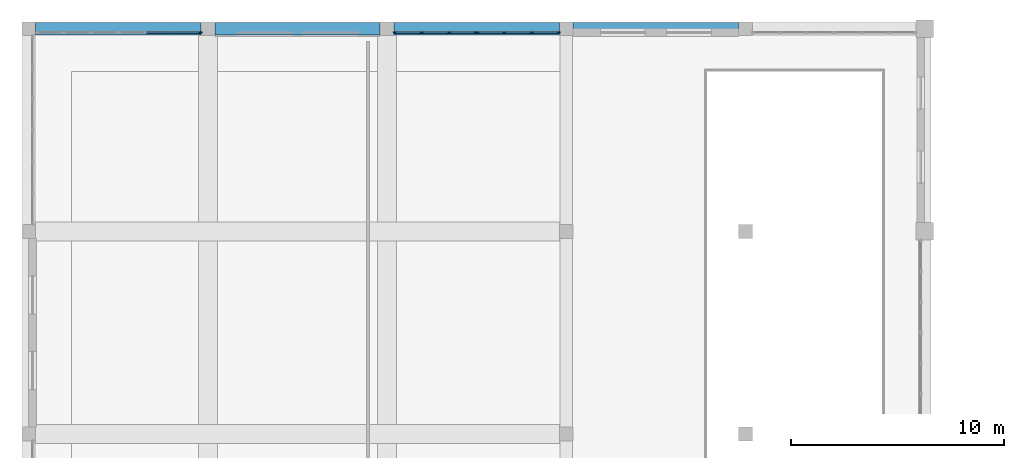
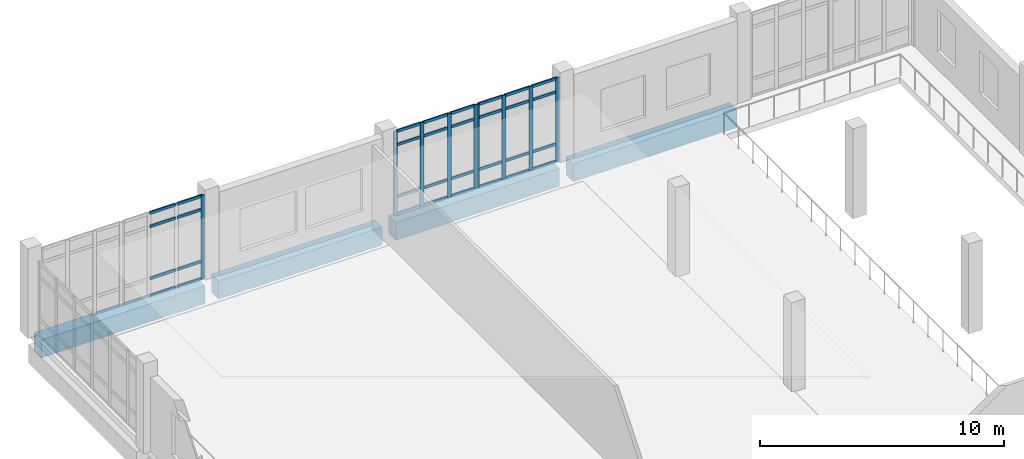
# One storey, part 17 of 54: 41 members, 4 beams, 3 elements without a shape of their own.
"""IFC4 building model written with IfcOpenShell, lengths in metres."""

import ifcopenshell
import ifcopenshell.guid

model = None  # the IFC model being written
_history = None  # IfcOwnerHistory: only IFC2X3 demands one
_inside = {}  # id of a spatial element -> (the spatial element, [elements in it])
_under = {}  # id of a project, library or spatial element -> (it, [spatial elements below it])
_declared = {}  # id of a project -> (the project, [libraries it declares])
_typed = {}  # id of a type object -> (the type object, [elements of that type])
_made_of = {}  # id of a material, layer set ... -> (it, [elements and type objects made of it])


def new_model(schema):
    """Start an empty IFC model of exactly this schema.

    Asked for "IFC4X3", IfcOpenShell would pick the latest addendum, in which some entities
    have other attributes; the version numbers below select the first issue.
    IFC2X3 requires an IfcOwnerHistory on every rooted entity: one is made here for all.
    """
    global model, _history
    if schema == "IFC4X3":
        model = ifcopenshell.file(schema_version=(4, 3, 0, 0))
    else:
        model = ifcopenshell.file(schema=schema)
    _inside.clear()
    _under.clear()
    _declared.clear()
    _typed.clear()
    _made_of.clear()
    _history = None
    if model.schema == "IFC2X3":
        org = make("IfcOrganization", Name="unknown")
        user = make(
            "IfcPersonAndOrganization",
            ThePerson=make("IfcPerson", FamilyName="unknown"),
            TheOrganization=org,
        )
        app = make(
            "IfcApplication",
            ApplicationDeveloper=org,
            Version="unknown",
            ApplicationFullName="unknown",
            ApplicationIdentifier="unknown",
        )
        _history = make(
            "IfcOwnerHistory",
            OwningUser=user,
            OwningApplication=app,
            ChangeAction="ADDED",
            CreationDate=0,
        )
    return model


def make(cls, **values):
    """One entity of the class cls with the attributes given. An attribute that is None is left unset."""
    return model.create_entity(
        cls, **{name: value for name, value in values.items() if value is not None}
    )


def rooted(cls, **values):
    """An entity with a GlobalId (a new one), such as an element, a storey or a relation."""
    return make(cls, GlobalId=ifcopenshell.guid.new(), OwnerHistory=_history, **values)


def si_unit(unit_type, name, prefix=None):
    """IfcSIUnit, for example si_unit("LENGTHUNIT", "METRE", prefix="MILLI")."""
    return make("IfcSIUnit", UnitType=unit_type, Prefix=prefix, Name=name)


def assignment(units):
    """IfcUnitAssignment: the units of a project."""
    return None if units is None else make("IfcUnitAssignment", Units=units)


def point(xyz):
    """IfcCartesianPoint."""
    return None if xyz is None else make("IfcCartesianPoint", Coordinates=xyz)


def direction(xyz):
    """IfcDirection."""
    return None if xyz is None else make("IfcDirection", DirectionRatios=xyz)


def frame(location, z_axis=None, x_axis=None):
    """IfcAxis2Placement3D, a coordinate frame: its origin and axes. An axis left out is left unset."""
    return make(
        "IfcAxis2Placement3D",
        Location=point(location),
        Axis=direction(z_axis),
        RefDirection=direction(x_axis),
    )


def frame_2d(location, x_axis=None):
    """IfcAxis2Placement2D, a coordinate frame in the plane: its origin and x axis."""
    return make(
        "IfcAxis2Placement2D", Location=point(location), RefDirection=direction(x_axis)
    )


def origin():
    """The frame at (0, 0, 0) with its axes left unset."""
    return frame((0.0, 0.0, 0.0))


def origin_2d():
    """The frame at (0, 0) in the plane with its x axis left unset."""
    return frame_2d((0.0, 0.0))


def place(relative_to, where):
    """IfcLocalPlacement: puts the frame where relative to a parent placement (None: the world)."""
    return make(
        "IfcLocalPlacement", PlacementRelTo=relative_to, RelativePlacement=where
    )


def context(
    kind, dimensions, precision=None, world=None, true_north=None, identifier=None
):
    """IfcGeometricRepresentationContext, for example the 3D "Model" context."""
    return make(
        "IfcGeometricRepresentationContext",
        ContextIdentifier=identifier,
        ContextType=kind,
        CoordinateSpaceDimension=dimensions,
        Precision=precision,
        WorldCoordinateSystem=world,
        TrueNorth=true_north,
    )


def subcontext(parent, identifier, kind, view, scale=None):
    """IfcGeometricRepresentationSubContext, for example "Body" below "Model"."""
    return make(
        "IfcGeometricRepresentationSubContext",
        ContextIdentifier=identifier,
        ContextType=kind,
        ParentContext=parent,
        TargetScale=scale,
        TargetView=view,
    )


def project(units=None, contexts=None):
    """IfcProject with its units and contexts."""
    return rooted(
        "IfcProject",
        Name="project",
        RepresentationContexts=contexts,
        UnitsInContext=assignment(units),
    )


def spatial(cls, under=None, at=None, **own):
    """A site, building, storey or space (cls), placed at a placement, below another one or the project."""
    s = rooted(cls, ObjectPlacement=at, **own)
    if under is not None:
        _under.setdefault(under.id(), (under, []))[1].append(s)
    return s


def profile(cls, at=None, kind="AREA", **sizes):
    """A parametric profile (cls). Its sizes go by their IFC names, for example OverallWidth=200.0."""
    return make(cls, ProfileType=kind, Position=at, **sizes)


def rectangle(**sizes):
    """IfcRectangleProfileDef."""
    return profile("IfcRectangleProfileDef", **sizes)


def extrude(swept, where, along, depth):
    """IfcExtrudedAreaSolid: the profile swept, set in the frame where, extruded along a direction by depth."""
    return make(
        "IfcExtrudedAreaSolid",
        SweptArea=swept,
        Position=where,
        ExtrudedDirection=direction(along),
        Depth=depth,
    )


def shape(context_of_items, identifier, shape_type, items):
    """IfcShapeRepresentation: the items that make up one representation, for example the "Body"."""
    return make(
        "IfcShapeRepresentation",
        ContextOfItems=context_of_items,
        RepresentationIdentifier=identifier,
        RepresentationType=shape_type,
        Items=items,
    )


def material(Name=None, Category=None):
    """IfcMaterial."""
    return make("IfcMaterial", Name=Name, Category=Category)


def layer(
    of_material, thickness, ventilated=None, Name=None, Category=None, Priority=None
):
    """IfcMaterialLayer: one layer of a wall or slab, of a material (None: an air gap)."""
    return make(
        "IfcMaterialLayer",
        Material=of_material,
        LayerThickness=thickness,
        IsVentilated=ventilated,
        Name=Name,
        Category=Category,
        Priority=Priority,
    )


def layer_set(layers, Name=None):
    """IfcMaterialLayerSet."""
    return make("IfcMaterialLayerSet", MaterialLayers=layers, LayerSetName=Name)


def material_profile(
    of_material, cross_section, Name=None, Category=None, Priority=None
):
    """IfcMaterialProfile: a cross section and its material."""
    return make(
        "IfcMaterialProfile",
        Name=Name,
        Material=of_material,
        Profile=cross_section,
        Priority=Priority,
        Category=Category,
    )


def profile_set(profiles, Name=None, composite=None):
    """IfcMaterialProfileSet."""
    return make(
        "IfcMaterialProfileSet",
        Name=Name,
        MaterialProfiles=profiles,
        CompositeProfile=composite,
    )


def made_of(thing, what):
    """Note that an element or type object is made of a material, layer set ...; save() writes the relation."""
    if what is not None:
        _made_of.setdefault(what.id(), (what, []))[1].append(thing)
    return thing


def type_object(cls, material=None, **own):
    """A type object (cls), such as IfcWallType, which elements share."""
    return made_of(rooted(cls, **own), material)


def element(
    cls,
    number,
    at=None,
    inside=None,
    cuts=None,
    type_object=None,
    material=None,
    context=None,
    identifier="Body",
    shape_type=None,
    held_by="IfcProductDefinitionShape",
    body=None,
    shapes=None,
    **own,
):
    """One element of the class cls, such as IfcWall. Its Tag is "e" and its number.

    at: its placement. inside: the storey or other place that contains it. cuts: it is an
    opening in that element (IfcRelVoidsElement). A single representation is given by context,
    identifier, shape_type and body (its items); several are given by shapes. held_by: the class
    of the entity that holds the representations. save() writes the other relations.
    """
    e = rooted(cls, Tag="e%d" % number, ObjectPlacement=at, **own)
    if body is not None:
        shapes = [shape(context, identifier, shape_type, body)]
    if shapes is not None:
        e.Representation = make(held_by, Representations=shapes)
    if inside is not None:
        _inside.setdefault(inside.id(), (inside, []))[1].append(e)
    if cuts is not None:
        rooted(
            "IfcRelVoidsElement", RelatingBuildingElement=cuts, RelatedOpeningElement=e
        )
    if type_object is not None:
        _typed.setdefault(type_object.id(), (type_object, []))[1].append(e)
    return made_of(e, material)


def aggregate(whole, parts):
    """IfcRelAggregates: a whole, such as a stair, and the parts it consists of."""
    return rooted("IfcRelAggregates", RelatingObject=whole, RelatedObjects=parts)


def save(model, path):
    """Write the relations noted so far, then the file.

    IfcRelAggregates (storeys below a building ...), IfcRelContainedInSpatialStructure (elements
    in a storey), IfcRelDefinesByType, IfcRelAssociatesMaterial and IfcRelDeclares: one each for
    every whole, place, type object, material and project.
    """
    for whole, parts in _under.values():
        aggregate(whole, parts)
    for where, things in _inside.values():
        rooted(
            "IfcRelContainedInSpatialStructure",
            RelatedElements=things,
            RelatingStructure=where,
        )
    for kind, things in _typed.values():
        rooted("IfcRelDefinesByType", RelatedObjects=things, RelatingType=kind)
    for what, things in _made_of.values():
        rooted("IfcRelAssociatesMaterial", RelatedObjects=things, RelatingMaterial=what)
    for by, libraries in _declared.values():
        rooted("IfcRelDeclares", RelatingContext=by, RelatedDefinitions=libraries)
    model.write(path)


model = new_model("IFC4")

# Units and contexts
model_context = context("Model", 3, precision=1e-05, world=origin(), true_north=direction((0.0, 1.0)))
body_context = subcontext(model_context, "Body", "Model", "MODEL_VIEW")
ifc_project = project(units=[si_unit("LENGTHUNIT", "METRE"), si_unit("AREAUNIT", "SQUARE_METRE"), si_unit("VOLUMEUNIT", "CUBIC_METRE"), si_unit("PLANEANGLEUNIT", "RADIAN"), si_unit("MASSUNIT", "GRAM", prefix="KILO")], contexts=[model_context])

# Site, building, storey
site_placement = place(None, origin())
site = spatial("IfcSite", under=ifc_project, at=site_placement, CompositionType="ELEMENT")
building_placement = place(site_placement, origin())
building = spatial("IfcBuilding", under=site, at=building_placement, Name="Kelarvand Opera House", CompositionType="ELEMENT")
storey_placement = place(building_placement, frame((0.0, 0.0, 15.0)))
storey = spatial("IfcBuildingStorey", under=building, at=storey_placement, Name="L03", CompositionType="ELEMENT", Elevation=15.0)

# Curtain wall, member
ifc_material_1 = material(Name="Thermally broken aluminium and low-E glazing", Category="aluminium")
ifc_layer = layer(ifc_material_1, 0.179931640625, Name="Thermally broken aluminium and low-E glazing", Category="aluminium")
ifc_layer_set = layer_set([ifc_layer], Name="Thermally broken aluminium and low-E glazing")
curtain_wall_type = type_object("IfcCurtainWallType", Name="Unitised Low-E Curtain Wall 3861x4200 Mod 1350 CWF-12", PredefinedType="USERDEFINED", material=ifc_layer_set)
curtain_wall_1_placement = place(storey_placement, origin())
curtain_wall_1 = element("IfcCurtainWall", 1, at=curtain_wall_1_placement, inside=storey, type_object=curtain_wall_type, Name="V3 L03 Curtain Wall CWF-12 (92)", ObjectType="UNITISED CURTAIN WALL", PredefinedType="USERDEFINED")
ifc_material_2 = material(Name="Thermally broken anodised aluminium", Category="aluminium")
ifc_material_profile_1 = material_profile(ifc_material_2, rectangle(XDim=0.06494140625, YDim=0.179931640625, at=origin_2d()), Name="ALU MULLION 65x180", Category="aluminium")
ifc_profile_set_1 = profile_set([ifc_material_profile_1], Name="Thermally broken anodised aluminium")
member_type_1 = type_object("IfcMemberType", Name="Curtain Wall Mullion 65x180 Aluminium", PredefinedType="MULLION", material=ifc_profile_set_1)
member_1_placement = place(storey_placement, frame((17.032470703125, 124.820068359375, 0.0), z_axis=(0.0, 0.0, 1.0), x_axis=(0.0, 1.0, 0.0)))
member_1 = element("IfcMember", 2, at=member_1_placement, type_object=member_type_1, Name="CWF-12 mullion 4", PredefinedType="MULLION", context=body_context, shape_type="SweptSolid", body=[
    extrude(rectangle(XDim=0.06494140625, YDim=0.179931640625, at=origin_2d()), origin(), (0.0, 0.0, 1.0), 4.199951171875),
])

# Curtain wall, members
curtain_wall_2_placement = place(storey_placement, origin())
curtain_wall_2 = element("IfcCurtainWall", 3, at=curtain_wall_2_placement, inside=storey, type_object=curtain_wall_type, Name="V3 L03 Curtain Wall CWF-12 (93)", ObjectType="UNITISED CURTAIN WALL", PredefinedType="USERDEFINED")
member_2_placement = place(storey_placement, frame((26.16748046875, 124.820068359375, 0.0), z_axis=(0.0, 0.0, 1.0), x_axis=(0.0, 1.0, 0.0)))
member_2 = element("IfcMember", 4, at=member_2_placement, type_object=member_type_1, Name="CWF-12 mullion 1", PredefinedType="MULLION", context=body_context, shape_type="SweptSolid", body=[
    extrude(rectangle(XDim=0.06494140625, YDim=0.179931640625, at=origin_2d()), origin(), (0.0, 0.0, 1.0), 4.199951171875),
])
member_3_placement = place(storey_placement, frame((27.422119140625, 124.820068359375, 0.0), z_axis=(0.0, 0.0, 1.0), x_axis=(0.0, 1.0, 0.0)))
member_3 = element("IfcMember", 5, at=member_3_placement, type_object=member_type_1, Name="CWF-12 mullion 2", PredefinedType="MULLION", context=body_context, shape_type="SweptSolid", body=[
    extrude(rectangle(XDim=0.06494140625, YDim=0.179931640625, at=origin_2d()), origin(), (0.0, 0.0, 1.0), 4.199951171875),
])
member_4_placement = place(storey_placement, frame((28.708984375, 124.820068359375, 0.0), z_axis=(0.0, 0.0, 1.0), x_axis=(0.0, 1.0, 0.0)))
member_4 = element("IfcMember", 6, at=member_4_placement, type_object=member_type_1, Name="CWF-12 mullion 3", PredefinedType="MULLION", context=body_context, shape_type="SweptSolid", body=[
    extrude(rectangle(XDim=0.06494140625, YDim=0.179931640625, at=origin_2d()), origin(), (0.0, 0.0, 1.0), 4.199951171875),
])
member_5_placement = place(storey_placement, frame((29.96337890625, 124.820068359375, 0.0), z_axis=(0.0, 0.0, 1.0), x_axis=(0.0, 1.0, 0.0)))
member_5 = element("IfcMember", 7, at=member_5_placement, type_object=member_type_1, Name="CWF-12 mullion 4", PredefinedType="MULLION", context=body_context, shape_type="SweptSolid", body=[
    extrude(rectangle(XDim=0.06494140625, YDim=0.179931640625, at=origin_2d()), origin(), (0.0, 0.0, 1.0), 4.199951171875),
])

curtain_wall_3_placement = place(storey_placement, origin())
curtain_wall_3 = element("IfcCurtainWall", 8, at=curtain_wall_3_placement, inside=storey, type_object=curtain_wall_type, Name="V3 L03 Curtain Wall CWF-12 (94)", ObjectType="UNITISED CURTAIN WALL", PredefinedType="USERDEFINED")
member_6_placement = place(storey_placement, frame((30.032470703125, 124.820068359375, 0.0), z_axis=(0.0, 0.0, 1.0), x_axis=(0.0, 1.0, 0.0)))
member_6 = element("IfcMember", 9, at=member_6_placement, type_object=member_type_1, Name="CWF-12 mullion 1", PredefinedType="MULLION", context=body_context, shape_type="SweptSolid", body=[
    extrude(rectangle(XDim=0.06494140625, YDim=0.179931640625, at=origin_2d()), origin(), (0.0, 0.0, 1.0), 4.199951171875),
])
member_7_placement = place(storey_placement, frame((31.288330078125, 124.820068359375, 0.0), z_axis=(0.0, 0.0, 1.0), x_axis=(0.0, 1.0, 0.0)))
member_7 = element("IfcMember", 10, at=member_7_placement, type_object=member_type_1, Name="CWF-12 mullion 2", PredefinedType="MULLION", context=body_context, shape_type="SweptSolid", body=[
    extrude(rectangle(XDim=0.06494140625, YDim=0.179931640625, at=origin_2d()), origin(), (0.0, 0.0, 1.0), 4.199951171875),
])
member_8_placement = place(storey_placement, frame((32.57666015625, 124.820068359375, 0.0), z_axis=(0.0, 0.0, 1.0), x_axis=(0.0, 1.0, 0.0)))
member_8 = element("IfcMember", 11, at=member_8_placement, type_object=member_type_1, Name="CWF-12 mullion 3", PredefinedType="MULLION", context=body_context, shape_type="SweptSolid", body=[
    extrude(rectangle(XDim=0.06494140625, YDim=0.179931640625, at=origin_2d()), origin(), (0.0, 0.0, 1.0), 4.199951171875),
])
member_9_placement = place(storey_placement, frame((33.83251953125, 124.820068359375, 0.0), z_axis=(0.0, 0.0, 1.0), x_axis=(0.0, 1.0, 0.0)))
member_9 = element("IfcMember", 12, at=member_9_placement, type_object=member_type_1, Name="CWF-12 mullion 4", PredefinedType="MULLION", context=body_context, shape_type="SweptSolid", body=[
    extrude(rectangle(XDim=0.06494140625, YDim=0.179931640625, at=origin_2d()), origin(), (0.0, 0.0, 1.0), 4.199951171875),
])

# Member
ifc_material_profile_2 = material_profile(ifc_material_2, rectangle(XDim=0.06494140625, YDim=0.139892578125, at=origin_2d()), Name="ALU TRANSOM 65x140", Category="aluminium")
ifc_profile_set_2 = profile_set([ifc_material_profile_2], Name="Thermally broken anodised aluminium")
member_type_2 = type_object("IfcMemberType", Name="Curtain Wall Transom 65x140 Aluminium", PredefinedType="USERDEFINED", material=ifc_profile_set_2)
member_10_placement = place(storey_placement, frame((14.520751953125, 124.820068359375, 0.032470703125), z_axis=(1.0, 0.0, 0.0), x_axis=(0.0, 1.0, 0.0)))
member_10 = element("IfcMember", 13, at=member_10_placement, type_object=member_type_2, Name="CWF-12 transom 2.1", ObjectType="TRANSOM", PredefinedType="USERDEFINED", context=body_context, shape_type="SweptSolid", body=[
    extrude(rectangle(XDim=0.06494140625, YDim=0.139892578125, at=origin_2d()), origin(), (0.0, 0.0, 1.0), 1.223388671875),
])

member_11_placement = place(storey_placement, frame((14.520751953125, 124.820068359375, 0.89990234375), z_axis=(1.0, 0.0, 0.0), x_axis=(0.0, 1.0, 0.0)))
member_11 = element("IfcMember", 14, at=member_11_placement, type_object=member_type_2, Name="CWF-12 transom 2.2", ObjectType="TRANSOM", PredefinedType="USERDEFINED", context=body_context, shape_type="SweptSolid", body=[
    extrude(rectangle(XDim=0.06494140625, YDim=0.139892578125, at=origin_2d()), origin(), (0.0, 0.0, 1.0), 1.223388671875),
])

member_12_placement = place(storey_placement, frame((14.520751953125, 124.820068359375, 3.5), z_axis=(1.0, 0.0, 0.0), x_axis=(0.0, 1.0, 0.0)))
member_12 = element("IfcMember", 15, at=member_12_placement, type_object=member_type_2, Name="CWF-12 transom 2.3", ObjectType="TRANSOM", PredefinedType="USERDEFINED", context=body_context, shape_type="SweptSolid", body=[
    extrude(rectangle(XDim=0.06494140625, YDim=0.139892578125, at=origin_2d()), origin(), (0.0, 0.0, 1.0), 1.223388671875),
])

member_13_placement = place(storey_placement, frame((14.520751953125, 124.820068359375, 4.16748046875), z_axis=(1.0, 0.0, 0.0), x_axis=(0.0, 1.0, 0.0)))
member_13 = element("IfcMember", 16, at=member_13_placement, type_object=member_type_2, Name="CWF-12 transom 2.4", ObjectType="TRANSOM", PredefinedType="USERDEFINED", context=body_context, shape_type="SweptSolid", body=[
    extrude(rectangle(XDim=0.06494140625, YDim=0.139892578125, at=origin_2d()), origin(), (0.0, 0.0, 1.0), 1.223388671875),
])

member_14_placement = place(storey_placement, frame((15.80908203125, 124.820068359375, 0.032470703125), z_axis=(1.0, 0.0, 0.0), x_axis=(0.0, 1.0, 0.0)))
member_14 = element("IfcMember", 17, at=member_14_placement, type_object=member_type_2, Name="CWF-12 transom 3.1", ObjectType="TRANSOM", PredefinedType="USERDEFINED", context=body_context, shape_type="SweptSolid", body=[
    extrude(rectangle(XDim=0.06494140625, YDim=0.139892578125, at=origin_2d()), origin(), (0.0, 0.0, 1.0), 1.19091796875),
])

member_15_placement = place(storey_placement, frame((15.80908203125, 124.820068359375, 0.89990234375), z_axis=(1.0, 0.0, 0.0), x_axis=(0.0, 1.0, 0.0)))
member_15 = element("IfcMember", 18, at=member_15_placement, type_object=member_type_2, Name="CWF-12 transom 3.2", ObjectType="TRANSOM", PredefinedType="USERDEFINED", context=body_context, shape_type="SweptSolid", body=[
    extrude(rectangle(XDim=0.06494140625, YDim=0.139892578125, at=origin_2d()), origin(), (0.0, 0.0, 1.0), 1.19091796875),
])

member_16_placement = place(storey_placement, frame((15.80908203125, 124.820068359375, 3.5), z_axis=(1.0, 0.0, 0.0), x_axis=(0.0, 1.0, 0.0)))
member_16 = element("IfcMember", 19, at=member_16_placement, type_object=member_type_2, Name="CWF-12 transom 3.3", ObjectType="TRANSOM", PredefinedType="USERDEFINED", context=body_context, shape_type="SweptSolid", body=[
    extrude(rectangle(XDim=0.06494140625, YDim=0.139892578125, at=origin_2d()), origin(), (0.0, 0.0, 1.0), 1.19091796875),
])

member_17_placement = place(storey_placement, frame((15.80908203125, 124.820068359375, 4.16748046875), z_axis=(1.0, 0.0, 0.0), x_axis=(0.0, 1.0, 0.0)))
member_17 = element("IfcMember", 20, at=member_17_placement, type_object=member_type_2, Name="CWF-12 transom 3.4", ObjectType="TRANSOM", PredefinedType="USERDEFINED", context=body_context, shape_type="SweptSolid", body=[
    extrude(rectangle(XDim=0.06494140625, YDim=0.139892578125, at=origin_2d()), origin(), (0.0, 0.0, 1.0), 1.19091796875),
])

aggregate(curtain_wall_1, [member_1, member_10, member_11, member_12, member_13, member_14, member_15, member_16, member_17])

member_18_placement = place(storey_placement, frame((26.199951171875, 124.820068359375, 0.032470703125), z_axis=(1.0, 0.0, 0.0), x_axis=(0.0, 1.0, 0.0)))
member_18 = element("IfcMember", 21, at=member_18_placement, type_object=member_type_2, Name="CWF-12 transom 1.1", ObjectType="TRANSOM", PredefinedType="USERDEFINED", context=body_context, shape_type="SweptSolid", body=[
    extrude(rectangle(XDim=0.06494140625, YDim=0.139892578125, at=origin_2d()), origin(), (0.0, 0.0, 1.0), 1.189453125),
])

member_19_placement = place(storey_placement, frame((26.199951171875, 124.820068359375, 0.89990234375), z_axis=(1.0, 0.0, 0.0), x_axis=(0.0, 1.0, 0.0)))
member_19 = element("IfcMember", 22, at=member_19_placement, type_object=member_type_2, Name="CWF-12 transom 1.2", ObjectType="TRANSOM", PredefinedType="USERDEFINED", context=body_context, shape_type="SweptSolid", body=[
    extrude(rectangle(XDim=0.06494140625, YDim=0.139892578125, at=origin_2d()), origin(), (0.0, 0.0, 1.0), 1.189453125),
])

member_20_placement = place(storey_placement, frame((26.199951171875, 124.820068359375, 3.5), z_axis=(1.0, 0.0, 0.0), x_axis=(0.0, 1.0, 0.0)))
member_20 = element("IfcMember", 23, at=member_20_placement, type_object=member_type_2, Name="CWF-12 transom 1.3", ObjectType="TRANSOM", PredefinedType="USERDEFINED", context=body_context, shape_type="SweptSolid", body=[
    extrude(rectangle(XDim=0.06494140625, YDim=0.139892578125, at=origin_2d()), origin(), (0.0, 0.0, 1.0), 1.189453125),
])

member_21_placement = place(storey_placement, frame((26.199951171875, 124.820068359375, 4.16748046875), z_axis=(1.0, 0.0, 0.0), x_axis=(0.0, 1.0, 0.0)))
member_21 = element("IfcMember", 24, at=member_21_placement, type_object=member_type_2, Name="CWF-12 transom 1.4", ObjectType="TRANSOM", PredefinedType="USERDEFINED", context=body_context, shape_type="SweptSolid", body=[
    extrude(rectangle(XDim=0.06494140625, YDim=0.139892578125, at=origin_2d()), origin(), (0.0, 0.0, 1.0), 1.189453125),
])

member_22_placement = place(storey_placement, frame((27.45458984375, 124.820068359375, 0.032470703125), z_axis=(1.0, 0.0, 0.0), x_axis=(0.0, 1.0, 0.0)))
member_22 = element("IfcMember", 25, at=member_22_placement, type_object=member_type_2, Name="CWF-12 transom 2.1", ObjectType="TRANSOM", PredefinedType="USERDEFINED", context=body_context, shape_type="SweptSolid", body=[
    extrude(rectangle(XDim=0.06494140625, YDim=0.139892578125, at=origin_2d()), origin(), (0.0, 0.0, 1.0), 1.221923828125),
])

member_23_placement = place(storey_placement, frame((27.45458984375, 124.820068359375, 0.89990234375), z_axis=(1.0, 0.0, 0.0), x_axis=(0.0, 1.0, 0.0)))
member_23 = element("IfcMember", 26, at=member_23_placement, type_object=member_type_2, Name="CWF-12 transom 2.2", ObjectType="TRANSOM", PredefinedType="USERDEFINED", context=body_context, shape_type="SweptSolid", body=[
    extrude(rectangle(XDim=0.06494140625, YDim=0.139892578125, at=origin_2d()), origin(), (0.0, 0.0, 1.0), 1.221923828125),
])

member_24_placement = place(storey_placement, frame((27.45458984375, 124.820068359375, 3.5), z_axis=(1.0, 0.0, 0.0), x_axis=(0.0, 1.0, 0.0)))
member_24 = element("IfcMember", 27, at=member_24_placement, type_object=member_type_2, Name="CWF-12 transom 2.3", ObjectType="TRANSOM", PredefinedType="USERDEFINED", context=body_context, shape_type="SweptSolid", body=[
    extrude(rectangle(XDim=0.06494140625, YDim=0.139892578125, at=origin_2d()), origin(), (0.0, 0.0, 1.0), 1.221923828125),
])

member_25_placement = place(storey_placement, frame((27.45458984375, 124.820068359375, 4.16748046875), z_axis=(1.0, 0.0, 0.0), x_axis=(0.0, 1.0, 0.0)))
member_25 = element("IfcMember", 28, at=member_25_placement, type_object=member_type_2, Name="CWF-12 transom 2.4", ObjectType="TRANSOM", PredefinedType="USERDEFINED", context=body_context, shape_type="SweptSolid", body=[
    extrude(rectangle(XDim=0.06494140625, YDim=0.139892578125, at=origin_2d()), origin(), (0.0, 0.0, 1.0), 1.221923828125),
])

member_26_placement = place(storey_placement, frame((28.741455078125, 124.820068359375, 0.032470703125), z_axis=(1.0, 0.0, 0.0), x_axis=(0.0, 1.0, 0.0)))
member_26 = element("IfcMember", 29, at=member_26_placement, type_object=member_type_2, Name="CWF-12 transom 3.1", ObjectType="TRANSOM", PredefinedType="USERDEFINED", context=body_context, shape_type="SweptSolid", body=[
    extrude(rectangle(XDim=0.06494140625, YDim=0.139892578125, at=origin_2d()), origin(), (0.0, 0.0, 1.0), 1.189453125),
])

member_27_placement = place(storey_placement, frame((28.741455078125, 124.820068359375, 0.89990234375), z_axis=(1.0, 0.0, 0.0), x_axis=(0.0, 1.0, 0.0)))
member_27 = element("IfcMember", 30, at=member_27_placement, type_object=member_type_2, Name="CWF-12 transom 3.2", ObjectType="TRANSOM", PredefinedType="USERDEFINED", context=body_context, shape_type="SweptSolid", body=[
    extrude(rectangle(XDim=0.06494140625, YDim=0.139892578125, at=origin_2d()), origin(), (0.0, 0.0, 1.0), 1.189453125),
])

member_28_placement = place(storey_placement, frame((28.741455078125, 124.820068359375, 3.5), z_axis=(1.0, 0.0, 0.0), x_axis=(0.0, 1.0, 0.0)))
member_28 = element("IfcMember", 31, at=member_28_placement, type_object=member_type_2, Name="CWF-12 transom 3.3", ObjectType="TRANSOM", PredefinedType="USERDEFINED", context=body_context, shape_type="SweptSolid", body=[
    extrude(rectangle(XDim=0.06494140625, YDim=0.139892578125, at=origin_2d()), origin(), (0.0, 0.0, 1.0), 1.189453125),
])

member_29_placement = place(storey_placement, frame((28.741455078125, 124.820068359375, 4.16748046875), z_axis=(1.0, 0.0, 0.0), x_axis=(0.0, 1.0, 0.0)))
member_29 = element("IfcMember", 32, at=member_29_placement, type_object=member_type_2, Name="CWF-12 transom 3.4", ObjectType="TRANSOM", PredefinedType="USERDEFINED", context=body_context, shape_type="SweptSolid", body=[
    extrude(rectangle(XDim=0.06494140625, YDim=0.139892578125, at=origin_2d()), origin(), (0.0, 0.0, 1.0), 1.189453125),
])

aggregate(curtain_wall_2, [member_2, member_3, member_4, member_5, member_18, member_19, member_20, member_21, member_22, member_23, member_24, member_25, member_26, member_27, member_28, member_29])

member_30_placement = place(storey_placement, frame((30.06494140625, 124.820068359375, 0.032470703125), z_axis=(1.0, 0.0, 0.0), x_axis=(0.0, 1.0, 0.0)))
member_30 = element("IfcMember", 33, at=member_30_placement, type_object=member_type_2, Name="CWF-12 transom 1.1", ObjectType="TRANSOM", PredefinedType="USERDEFINED", context=body_context, shape_type="SweptSolid", body=[
    extrude(rectangle(XDim=0.06494140625, YDim=0.139892578125, at=origin_2d()), origin(), (0.0, 0.0, 1.0), 1.19091796875),
])

member_31_placement = place(storey_placement, frame((30.06494140625, 124.820068359375, 0.89990234375), z_axis=(1.0, 0.0, 0.0), x_axis=(0.0, 1.0, 0.0)))
member_31 = element("IfcMember", 34, at=member_31_placement, type_object=member_type_2, Name="CWF-12 transom 1.2", ObjectType="TRANSOM", PredefinedType="USERDEFINED", context=body_context, shape_type="SweptSolid", body=[
    extrude(rectangle(XDim=0.06494140625, YDim=0.139892578125, at=origin_2d()), origin(), (0.0, 0.0, 1.0), 1.19091796875),
])

member_32_placement = place(storey_placement, frame((30.06494140625, 124.820068359375, 3.5), z_axis=(1.0, 0.0, 0.0), x_axis=(0.0, 1.0, 0.0)))
member_32 = element("IfcMember", 35, at=member_32_placement, type_object=member_type_2, Name="CWF-12 transom 1.3", ObjectType="TRANSOM", PredefinedType="USERDEFINED", context=body_context, shape_type="SweptSolid", body=[
    extrude(rectangle(XDim=0.06494140625, YDim=0.139892578125, at=origin_2d()), origin(), (0.0, 0.0, 1.0), 1.19091796875),
])

member_33_placement = place(storey_placement, frame((30.06494140625, 124.820068359375, 4.16748046875), z_axis=(1.0, 0.0, 0.0), x_axis=(0.0, 1.0, 0.0)))
member_33 = element("IfcMember", 36, at=member_33_placement, type_object=member_type_2, Name="CWF-12 transom 1.4", ObjectType="TRANSOM", PredefinedType="USERDEFINED", context=body_context, shape_type="SweptSolid", body=[
    extrude(rectangle(XDim=0.06494140625, YDim=0.139892578125, at=origin_2d()), origin(), (0.0, 0.0, 1.0), 1.19091796875),
])

member_34_placement = place(storey_placement, frame((31.32080078125, 124.820068359375, 0.032470703125), z_axis=(1.0, 0.0, 0.0), x_axis=(0.0, 1.0, 0.0)))
member_34 = element("IfcMember", 37, at=member_34_placement, type_object=member_type_2, Name="CWF-12 transom 2.1", ObjectType="TRANSOM", PredefinedType="USERDEFINED", context=body_context, shape_type="SweptSolid", body=[
    extrude(rectangle(XDim=0.06494140625, YDim=0.139892578125, at=origin_2d()), origin(), (0.0, 0.0, 1.0), 1.223388671875),
])

member_35_placement = place(storey_placement, frame((31.32080078125, 124.820068359375, 0.89990234375), z_axis=(1.0, 0.0, 0.0), x_axis=(0.0, 1.0, 0.0)))
member_35 = element("IfcMember", 38, at=member_35_placement, type_object=member_type_2, Name="CWF-12 transom 2.2", ObjectType="TRANSOM", PredefinedType="USERDEFINED", context=body_context, shape_type="SweptSolid", body=[
    extrude(rectangle(XDim=0.06494140625, YDim=0.139892578125, at=origin_2d()), origin(), (0.0, 0.0, 1.0), 1.223388671875),
])

member_36_placement = place(storey_placement, frame((31.32080078125, 124.820068359375, 3.5), z_axis=(1.0, 0.0, 0.0), x_axis=(0.0, 1.0, 0.0)))
member_36 = element("IfcMember", 39, at=member_36_placement, type_object=member_type_2, Name="CWF-12 transom 2.3", ObjectType="TRANSOM", PredefinedType="USERDEFINED", context=body_context, shape_type="SweptSolid", body=[
    extrude(rectangle(XDim=0.06494140625, YDim=0.139892578125, at=origin_2d()), origin(), (0.0, 0.0, 1.0), 1.223388671875),
])

member_37_placement = place(storey_placement, frame((31.32080078125, 124.820068359375, 4.16748046875), z_axis=(1.0, 0.0, 0.0), x_axis=(0.0, 1.0, 0.0)))
member_37 = element("IfcMember", 40, at=member_37_placement, type_object=member_type_2, Name="CWF-12 transom 2.4", ObjectType="TRANSOM", PredefinedType="USERDEFINED", context=body_context, shape_type="SweptSolid", body=[
    extrude(rectangle(XDim=0.06494140625, YDim=0.139892578125, at=origin_2d()), origin(), (0.0, 0.0, 1.0), 1.223388671875),
])

member_38_placement = place(storey_placement, frame((32.609130859375, 124.820068359375, 0.032470703125), z_axis=(1.0, 0.0, 0.0), x_axis=(0.0, 1.0, 0.0)))
member_38 = element("IfcMember", 41, at=member_38_placement, type_object=member_type_2, Name="CWF-12 transom 3.1", ObjectType="TRANSOM", PredefinedType="USERDEFINED", context=body_context, shape_type="SweptSolid", body=[
    extrude(rectangle(XDim=0.06494140625, YDim=0.139892578125, at=origin_2d()), origin(), (0.0, 0.0, 1.0), 1.19091796875),
])

member_39_placement = place(storey_placement, frame((32.609130859375, 124.820068359375, 0.89990234375), z_axis=(1.0, 0.0, 0.0), x_axis=(0.0, 1.0, 0.0)))
member_39 = element("IfcMember", 42, at=member_39_placement, type_object=member_type_2, Name="CWF-12 transom 3.2", ObjectType="TRANSOM", PredefinedType="USERDEFINED", context=body_context, shape_type="SweptSolid", body=[
    extrude(rectangle(XDim=0.06494140625, YDim=0.139892578125, at=origin_2d()), origin(), (0.0, 0.0, 1.0), 1.19091796875),
])

member_40_placement = place(storey_placement, frame((32.609130859375, 124.820068359375, 3.5), z_axis=(1.0, 0.0, 0.0), x_axis=(0.0, 1.0, 0.0)))
member_40 = element("IfcMember", 43, at=member_40_placement, type_object=member_type_2, Name="CWF-12 transom 3.3", ObjectType="TRANSOM", PredefinedType="USERDEFINED", context=body_context, shape_type="SweptSolid", body=[
    extrude(rectangle(XDim=0.06494140625, YDim=0.139892578125, at=origin_2d()), origin(), (0.0, 0.0, 1.0), 1.19091796875),
])

member_41_placement = place(storey_placement, frame((32.609130859375, 124.820068359375, 4.16748046875), z_axis=(1.0, 0.0, 0.0), x_axis=(0.0, 1.0, 0.0)))
member_41 = element("IfcMember", 44, at=member_41_placement, type_object=member_type_2, Name="CWF-12 transom 3.4", ObjectType="TRANSOM", PredefinedType="USERDEFINED", context=body_context, shape_type="SweptSolid", body=[
    extrude(rectangle(XDim=0.06494140625, YDim=0.139892578125, at=origin_2d()), origin(), (0.0, 0.0, 1.0), 1.19091796875),
])

aggregate(curtain_wall_3, [member_6, member_7, member_8, member_9, member_30, member_31, member_32, member_33, member_34, member_35, member_36, member_37, member_38, member_39, member_40, member_41])

# Beams
ifc_material_3 = material(Name="Concrete C40/50", Category="concrete")
ifc_material_profile_3 = material_profile(ifc_material_3, rectangle(XDim=0.60009765625, YDim=0.89990234375, at=origin_2d()), Name="RC 600x900", Category="concrete")
ifc_profile_set_3 = profile_set([ifc_material_profile_3], Name="Concrete C40/50")
beam_type = type_object("IfcBeamType", Name="Structural Spandrel RC 600x900 SP-RC600x900E", PredefinedType="SPANDREL", material=ifc_profile_set_3)
for number, where, z_axis, x_axis, name in (
    (45, (9.324951171875, 125.0, -0.75), (1.0, 0.0, 0.0), (0.0, 1.0, 0.0), "V3 L03 Beam SP-RC600x900E"),
    (46, (17.72509765625, 125.0, -0.75), (1.0, 0.0, 0.0), (0.0, 1.0, 0.0), "V3 L03 Beam SP-RC600x900E"),
    (47, (26.125, 125.0, -0.75), (1.0, 0.0, 0.0), (0.0, 1.0, 0.0), "V3 L03 Beam SP-RC600x900E"),
    (48, (34.52490234375, 125.0, -0.75), (1.0, 0.0, 0.0), (0.0, 1.0, 0.0), "V3 L03 Beam SP-RC600x900E"),
):
    element("IfcBeam", number, at=place(storey_placement, frame(where, z_axis=z_axis, x_axis=x_axis)), inside=storey, type_object=beam_type, Name=name, PredefinedType="SPANDREL", context=body_context, shape_type="SweptSolid", body=[
        extrude(rectangle(XDim=0.60009765625, YDim=0.89990234375, at=origin_2d()), origin(), (0.0, 0.0, 1.0), 7.75),
    ])

save(model, "model.ifc")
